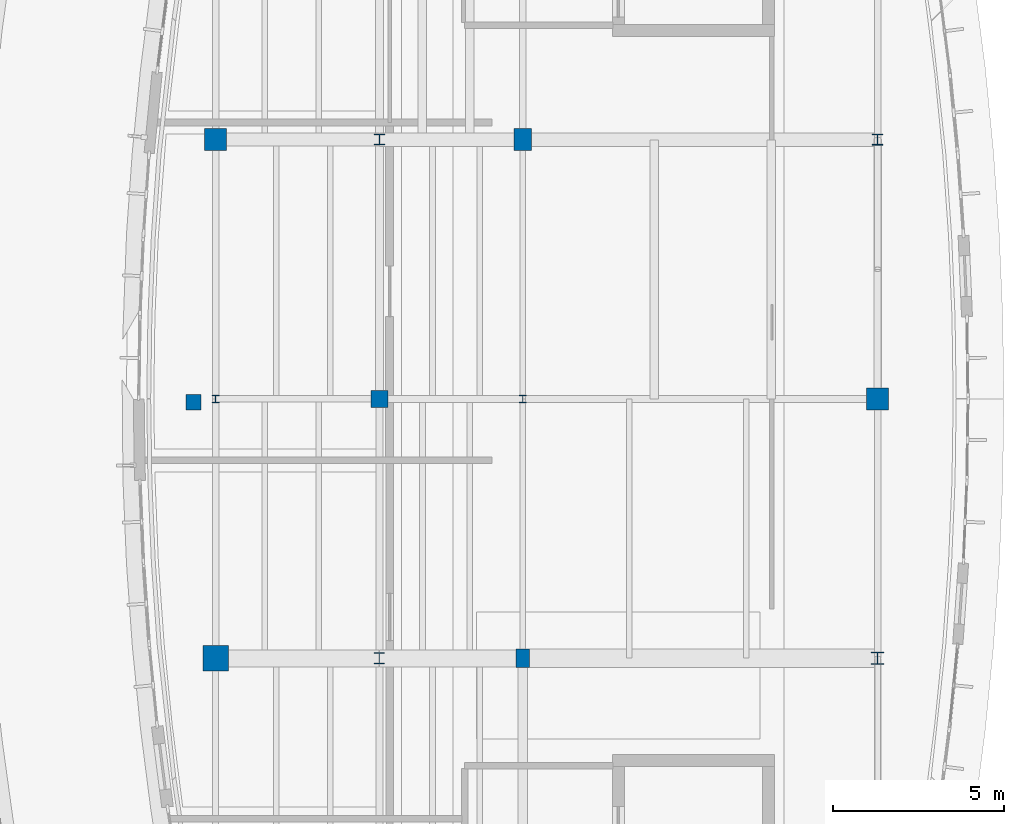
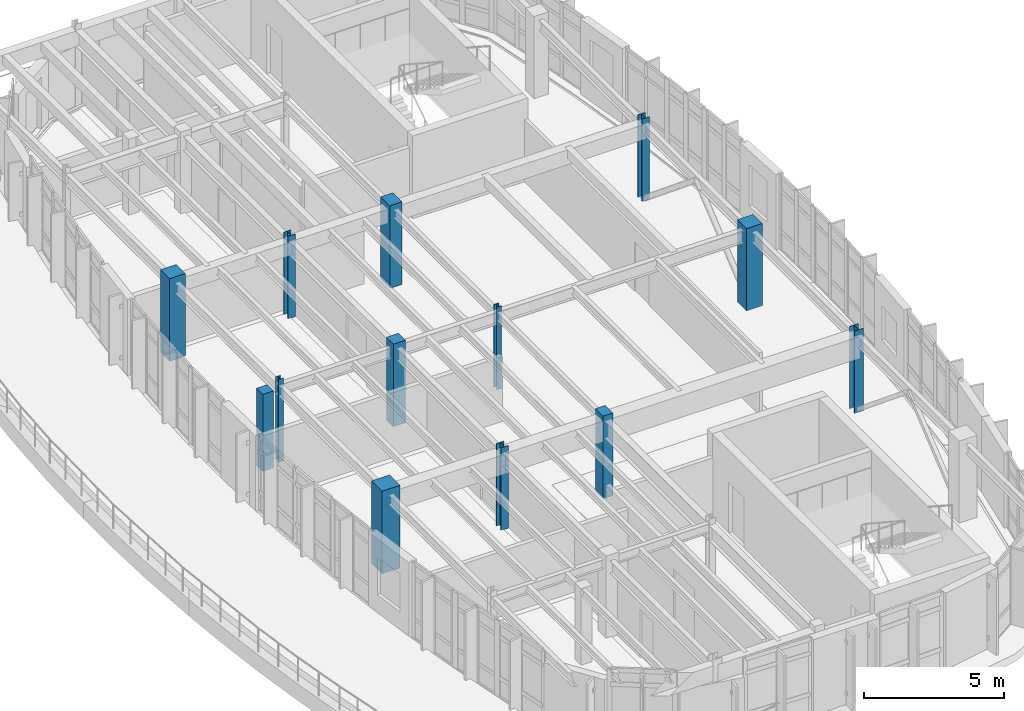
# One storey, part 2 of 20: 13 columns.
"""IFC4 building model written with IfcOpenShell, lengths in metres."""

from ifc_helpers import new_model, si_unit, direction, frame, origin, origin_2d, place, context, subcontext, project, spatial, rectangle, i_section, extrude, material, material_profile, profile_set, type_object, element, save


model = new_model("IFC4")

# Units and contexts
model_context = context("Model", 3, precision=1e-05, world=origin(), true_north=direction((0.0, 1.0)))
body_context = subcontext(model_context, "Body", "Model", "MODEL_VIEW")
ifc_project = project(units=[si_unit("LENGTHUNIT", "METRE"), si_unit("AREAUNIT", "SQUARE_METRE"), si_unit("VOLUMEUNIT", "CUBIC_METRE"), si_unit("PLANEANGLEUNIT", "RADIAN"), si_unit("MASSUNIT", "GRAM", prefix="KILO")], contexts=[model_context])

# Site, building, storey
site_placement = place(None, origin())
site = spatial("IfcSite", under=ifc_project, at=site_placement, CompositionType="ELEMENT")
building_placement = place(site_placement, origin())
building = spatial("IfcBuilding", under=site, at=building_placement, Name="Corveleigh Park Community Centre", CompositionType="ELEMENT")
storey_placement = place(building_placement, frame((0.0, 0.0, 16.199951171875)))
storey = spatial("IfcBuildingStorey", under=building, at=storey_placement, Name="L04", CompositionType="ELEMENT", Elevation=16.199951171875)

# Columns
ifc_material_1 = material(Name="Concrete C40/50", Category="concrete")
ifc_material_profile_1 = material_profile(ifc_material_1, rectangle(XDim=0.39990234375, YDim=0.550048828125, at=origin_2d()), Name="RC-400x550", Category="concrete")
ifc_profile_set_1 = profile_set([ifc_material_profile_1], Name="Concrete C40/50")
column_type_1 = type_object("IfcColumnType", Name="COL-RC-400x550", PredefinedType="COLUMN", material=ifc_profile_set_1)
column_1_placement = place(storey_placement, frame((158.0, 73.800048828125, 0.0), z_axis=(0.0, 0.0, 1.0), x_axis=(1.0, 0.0, 0.0)))
element("IfcColumn", 1, at=column_1_placement, inside=storey, type_object=column_type_1, Name="Column V4-X6Y2 L04", PredefinedType="COLUMN", context=body_context, shape_type="SweptSolid", body=[
    extrude(rectangle(XDim=0.39990234375, YDim=0.550048828125, at=origin_2d()), origin(), (0.0, 0.0, 1.0), 3.60009765625),
])
ifc_material_profile_2 = material_profile(ifc_material_1, rectangle(XDim=0.449951171875, YDim=0.449951171875, at=origin_2d()), Name="RC-450x450", Category="concrete")
ifc_profile_set_2 = profile_set([ifc_material_profile_2], Name="Concrete C40/50")
column_type_2 = type_object("IfcColumnType", Name="COL-RC-450x450", PredefinedType="COLUMN", material=ifc_profile_set_2)
column_2_placement = place(storey_placement, frame((148.35302734375, 81.300048828125, 0.0), z_axis=(0.0, 0.0, 1.0), x_axis=(1.0, 0.0, 0.0)))
element("IfcColumn", 2, at=column_2_placement, inside=storey, type_object=column_type_2, Name="External deck support pier 138 L04", PredefinedType="COLUMN", context=body_context, shape_type="SweptSolid", body=[
    extrude(rectangle(XDim=0.449951171875, YDim=0.449951171875, at=origin_2d()), origin(), (0.0, 0.0, 1.0), 3.35302734375),
])
ifc_material_profile_3 = material_profile(ifc_material_1, rectangle(XDim=0.5, YDim=0.5, at=origin_2d()), Name="RC-500x500", Category="concrete")
ifc_profile_set_3 = profile_set([ifc_material_profile_3], Name="Concrete C40/50")
column_type_3 = type_object("IfcColumnType", Name="COL-RC-500x500", PredefinedType="COLUMN", material=ifc_profile_set_3)
column_3_placement = place(storey_placement, frame((153.800048828125, 81.39990234375, 0.0), z_axis=(0.0, 0.0, 1.0), x_axis=(1.0, 0.0, 0.0)))
element("IfcColumn", 3, at=column_3_placement, inside=storey, type_object=column_type_3, Name="Column V4-X5Y3 L04", PredefinedType="COLUMN", context=body_context, shape_type="SweptSolid", body=[
    extrude(rectangle(XDim=0.5, YDim=0.5, at=origin_2d()), origin(), (0.0, 0.0, 1.0), 3.60009765625),
])
ifc_material_profile_4 = material_profile(ifc_material_1, rectangle(XDim=0.5, YDim=0.64990234375, at=origin_2d()), Name="RC-500x650", Category="concrete")
ifc_profile_set_4 = profile_set([ifc_material_profile_4], Name="Concrete C40/50")
column_type_4 = type_object("IfcColumnType", Name="COL-RC-500x650", PredefinedType="COLUMN", material=ifc_profile_set_4)
column_4_placement = place(storey_placement, frame((158.0, 89.0, 0.0), z_axis=(0.0, 0.0, 1.0), x_axis=(1.0, 0.0, 0.0)))
element("IfcColumn", 4, at=column_4_placement, inside=storey, type_object=column_type_4, Name="Column V4-X6Y4 L04", PredefinedType="COLUMN", context=body_context, shape_type="SweptSolid", body=[
    extrude(rectangle(XDim=0.5, YDim=0.64990234375, at=origin_2d()), origin(), (0.0, 0.0, 1.0), 3.60009765625),
])
ifc_material_profile_5 = material_profile(ifc_material_1, rectangle(XDim=0.64990234375, YDim=0.64990234375, at=origin_2d()), Name="RC-650x650", Category="concrete")
ifc_profile_set_5 = profile_set([ifc_material_profile_5], Name="Concrete C40/50")
column_type_5 = type_object("IfcColumnType", Name="COL-RC-650x650", PredefinedType="COLUMN", material=ifc_profile_set_5)
for number, where, z_axis, x_axis, name in (
    (5, (149.0, 89.0, 0.0), (0.0, 0.0, 1.0), (1.0, 0.0, 0.0), "Column V4-X4Y4 L04"),
    (6, (168.39990234375, 81.39990234375, 0.0), (0.0, 0.0, 1.0), (1.0, 0.0, 0.0), "Column V4-X7Y3 L04"),
):
    element("IfcColumn", number, at=place(storey_placement, frame(where, z_axis=z_axis, x_axis=x_axis)), inside=storey, type_object=column_type_5, Name=name, PredefinedType="COLUMN", context=body_context, shape_type="SweptSolid", body=[
        extrude(rectangle(XDim=0.64990234375, YDim=0.64990234375, at=origin_2d()), origin(), (0.0, 0.0, 1.0), 3.60009765625),
    ])
ifc_material_profile_6 = material_profile(ifc_material_1, rectangle(XDim=0.75, YDim=0.75, at=origin_2d()), Name="RC-750x750", Category="concrete")
ifc_profile_set_6 = profile_set([ifc_material_profile_6], Name="Concrete C40/50")
column_type_6 = type_object("IfcColumnType", Name="COL-RC-750x750", PredefinedType="COLUMN", material=ifc_profile_set_6)
column_5_placement = place(storey_placement, frame((149.0, 73.800048828125, 0.0), z_axis=(0.0, 0.0, 1.0), x_axis=(1.0, 0.0, 0.0)))
element("IfcColumn", 7, at=column_5_placement, inside=storey, type_object=column_type_6, Name="Column V4-X4Y2 L04", PredefinedType="COLUMN", context=body_context, shape_type="SweptSolid", body=[
    extrude(rectangle(XDim=0.75, YDim=0.75, at=origin_2d()), origin(), (0.0, 0.0, 1.0), 3.60009765625),
])
ifc_material_2 = material(Name="Steel S355", Category="steel")
ifc_material_profile_7 = material_profile(ifc_material_2, i_section(OverallWidth=0.205810546875, OverallDepth=0.209716796875, WebThickness=0.009521484375, FlangeThickness=0.01416015625, at=origin_2d()), Name="UKC 203x203x60", Category="steel")
ifc_profile_set_7 = profile_set([ifc_material_profile_7], Name="Steel S355")
column_type_7 = type_object("IfcColumnType", Name="COL-STL-UKC203x60", PredefinedType="COLUMN", material=ifc_profile_set_7)
column_6_placement = place(storey_placement, frame((149.0, 81.39990234375, 0.0), z_axis=(0.0, 0.0, 1.0), x_axis=(1.0, 0.0, 0.0)))
element("IfcColumn", 8, at=column_6_placement, inside=storey, type_object=column_type_7, Name="Column V4-X4Y3 L04", PredefinedType="COLUMN", context=body_context, shape_type="SweptSolid", body=[
    extrude(i_section(OverallWidth=0.205810546875, OverallDepth=0.209716796875, WebThickness=0.009521484375, FlangeThickness=0.01416015625, at=origin_2d()), origin(), (0.0, 0.0, 1.0), 3.60009765625),
])
ifc_material_profile_8 = material_profile(ifc_material_2, i_section(OverallWidth=0.206298828125, OverallDepth=0.2158203125, WebThickness=0.010009765625, FlangeThickness=0.017333984375, at=origin_2d()), Name="UKC 203x203x71", Category="steel")
ifc_profile_set_8 = profile_set([ifc_material_profile_8], Name="Steel S355")
column_type_8 = type_object("IfcColumnType", Name="COL-STL-UKC203x71", PredefinedType="COLUMN", material=ifc_profile_set_8)
column_7_placement = place(storey_placement, frame((158.0, 81.39990234375, 0.0), z_axis=(0.0, 0.0, 1.0), x_axis=(1.0, 0.0, 0.0)))
element("IfcColumn", 9, at=column_7_placement, inside=storey, type_object=column_type_8, Name="Column V4-X6Y3 L04", PredefinedType="COLUMN", context=body_context, shape_type="SweptSolid", body=[
    extrude(i_section(OverallWidth=0.206298828125, OverallDepth=0.2158203125, WebThickness=0.010009765625, FlangeThickness=0.017333984375, at=origin_2d()), origin(), (0.0, 0.0, 1.0), 3.60009765625),
])
ifc_material_profile_9 = material_profile(ifc_material_2, i_section(OverallWidth=0.307373046875, OverallDepth=0.314453125, WebThickness=0.011962890625, FlangeThickness=0.018798828125, at=origin_2d()), Name="UKC 305x305x118", Category="steel")
ifc_profile_set_9 = profile_set([ifc_material_profile_9], Name="Steel S355")
column_type_9 = type_object("IfcColumnType", Name="COL-STL-UKC305x118", PredefinedType="COLUMN", material=ifc_profile_set_9)
column_8_placement = place(storey_placement, frame((153.800048828125, 89.0, 0.0), z_axis=(0.0, 0.0, 1.0), x_axis=(1.0, 0.0, 0.0)))
element("IfcColumn", 10, at=column_8_placement, inside=storey, type_object=column_type_9, Name="Column V4-X5Y4 L04", PredefinedType="COLUMN", context=body_context, shape_type="SweptSolid", body=[
    extrude(i_section(OverallWidth=0.307373046875, OverallDepth=0.314453125, WebThickness=0.011962890625, FlangeThickness=0.018798828125, at=origin_2d()), origin(), (0.0, 0.0, 1.0), 3.60009765625),
])
ifc_material_profile_10 = material_profile(ifc_material_2, i_section(OverallWidth=0.30908203125, OverallDepth=0.320556640625, WebThickness=0.013916015625, FlangeThickness=0.021728515625, at=origin_2d()), Name="UKC 305x305x137", Category="steel")
ifc_profile_set_10 = profile_set([ifc_material_profile_10], Name="Steel S355")
column_type_10 = type_object("IfcColumnType", Name="COL-STL-UKC305x137", PredefinedType="COLUMN", material=ifc_profile_set_10)
column_9_placement = place(storey_placement, frame((168.39990234375, 89.0, 0.0), z_axis=(0.0, 0.0, 1.0), x_axis=(1.0, 0.0, 0.0)))
element("IfcColumn", 11, at=column_9_placement, inside=storey, type_object=column_type_10, Name="Column V4-X7Y4 L04", PredefinedType="COLUMN", context=body_context, shape_type="SweptSolid", body=[
    extrude(i_section(OverallWidth=0.30908203125, OverallDepth=0.320556640625, WebThickness=0.013916015625, FlangeThickness=0.021728515625, at=origin_2d()), origin(), (0.0, 0.0, 1.0), 3.60009765625),
])
ifc_material_profile_11 = material_profile(ifc_material_2, i_section(OverallWidth=0.311279296875, OverallDepth=0.3271484375, WebThickness=0.015869140625, FlangeThickness=0.02490234375, at=origin_2d()), Name="UKC 305x305x158", Category="steel")
ifc_profile_set_11 = profile_set([ifc_material_profile_11], Name="Steel S355")
column_type_11 = type_object("IfcColumnType", Name="COL-STL-UKC305x158", PredefinedType="COLUMN", material=ifc_profile_set_11)
column_10_placement = place(storey_placement, frame((153.800048828125, 73.800048828125, 0.0), z_axis=(0.0, 0.0, 1.0), x_axis=(1.0, 0.0, 0.0)))
element("IfcColumn", 12, at=column_10_placement, inside=storey, type_object=column_type_11, Name="Column V4-X5Y2 L04", PredefinedType="COLUMN", context=body_context, shape_type="SweptSolid", body=[
    extrude(i_section(OverallWidth=0.311279296875, OverallDepth=0.3271484375, WebThickness=0.015869140625, FlangeThickness=0.02490234375, at=origin_2d()), origin(), (0.0, 0.0, 1.0), 3.60009765625),
])
ifc_material_profile_12 = material_profile(ifc_material_2, i_section(OverallWidth=0.37060546875, OverallDepth=0.362060546875, WebThickness=0.01220703125, FlangeThickness=0.020751953125, at=origin_2d()), Name="UKC 356x368x153", Category="steel")
ifc_profile_set_12 = profile_set([ifc_material_profile_12], Name="Steel S355")
column_type_12 = type_object("IfcColumnType", Name="COL-STL-UKC356x153", PredefinedType="COLUMN", material=ifc_profile_set_12)
column_11_placement = place(storey_placement, frame((168.39990234375, 73.800048828125, 0.0), z_axis=(0.0, 0.0, 1.0), x_axis=(1.0, 0.0, 0.0)))
element("IfcColumn", 13, at=column_11_placement, inside=storey, type_object=column_type_12, Name="Column V4-X7Y2 L04", PredefinedType="COLUMN", context=body_context, shape_type="SweptSolid", body=[
    extrude(i_section(OverallWidth=0.37060546875, OverallDepth=0.362060546875, WebThickness=0.01220703125, FlangeThickness=0.020751953125, at=origin_2d()), origin(), (0.0, 0.0, 1.0), 3.60009765625),
])

save(model, "model.ifc")
